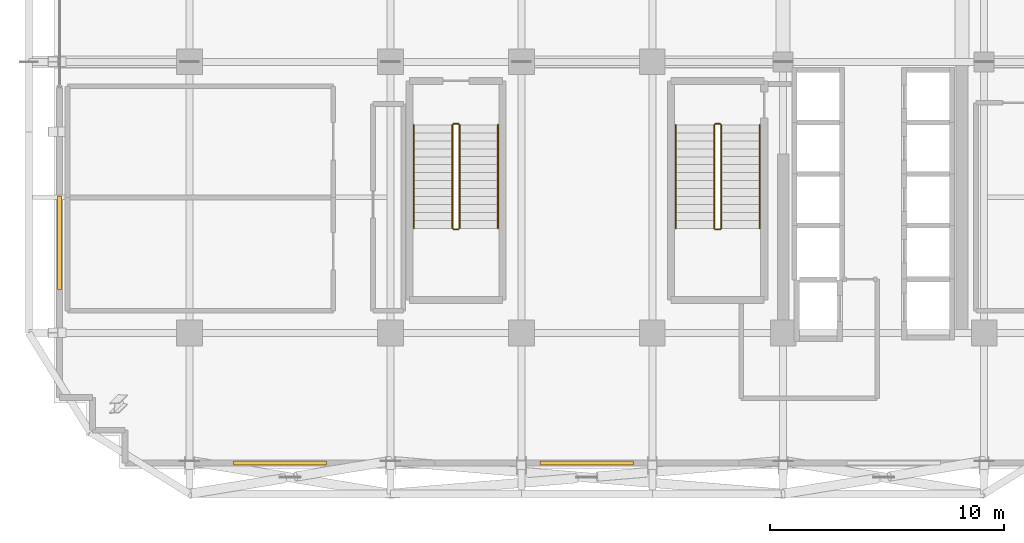
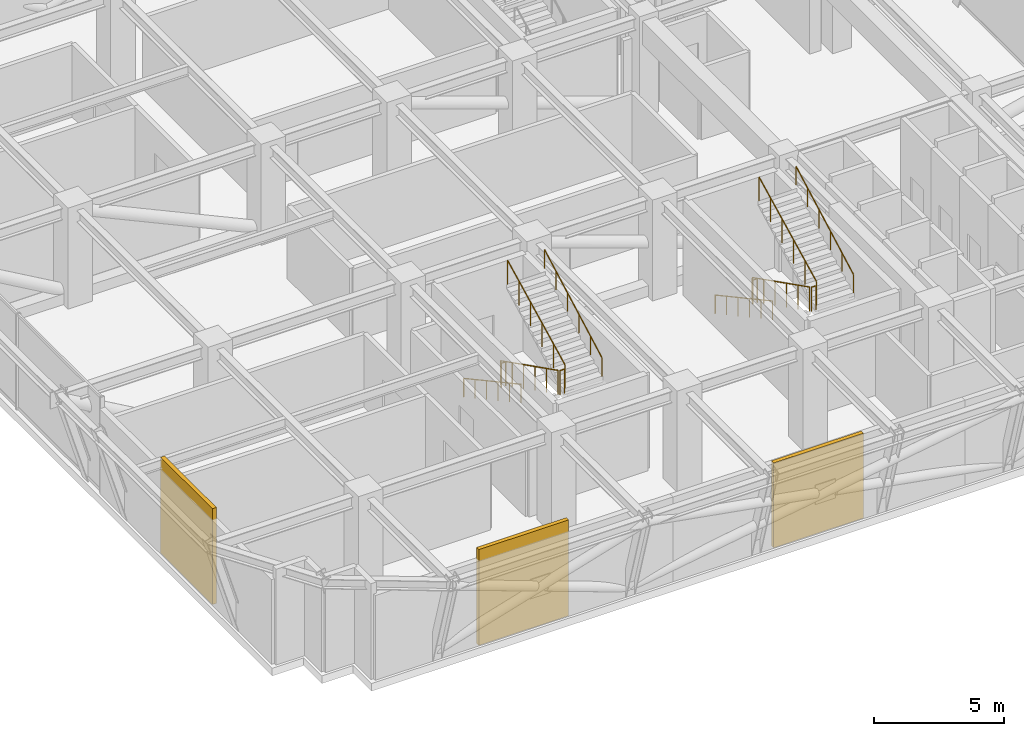
# One storey, part 13 of 16: 12 railings, 3 shading devices.
"""IFC4 building model written with IfcOpenShell, lengths in metres."""

import ifcopenshell
import ifcopenshell.guid

model = None  # the IFC model being written
_history = None  # IfcOwnerHistory: only IFC2X3 demands one
_inside = {}  # id of a spatial element -> (the spatial element, [elements in it])
_under = {}  # id of a project, library or spatial element -> (it, [spatial elements below it])
_declared = {}  # id of a project -> (the project, [libraries it declares])
_typed = {}  # id of a type object -> (the type object, [elements of that type])
_made_of = {}  # id of a material, layer set ... -> (it, [elements and type objects made of it])


def new_model(schema):
    """Start an empty IFC model of exactly this schema.

    Asked for "IFC4X3", IfcOpenShell would pick the latest addendum, in which some entities
    have other attributes; the version numbers below select the first issue.
    IFC2X3 requires an IfcOwnerHistory on every rooted entity: one is made here for all.
    """
    global model, _history
    if schema == "IFC4X3":
        model = ifcopenshell.file(schema_version=(4, 3, 0, 0))
    else:
        model = ifcopenshell.file(schema=schema)
    _inside.clear()
    _under.clear()
    _declared.clear()
    _typed.clear()
    _made_of.clear()
    _history = None
    if model.schema == "IFC2X3":
        org = make("IfcOrganization", Name="unknown")
        user = make(
            "IfcPersonAndOrganization",
            ThePerson=make("IfcPerson", FamilyName="unknown"),
            TheOrganization=org,
        )
        app = make(
            "IfcApplication",
            ApplicationDeveloper=org,
            Version="unknown",
            ApplicationFullName="unknown",
            ApplicationIdentifier="unknown",
        )
        _history = make(
            "IfcOwnerHistory",
            OwningUser=user,
            OwningApplication=app,
            ChangeAction="ADDED",
            CreationDate=0,
        )
    return model


def make(cls, **values):
    """One entity of the class cls with the attributes given. An attribute that is None is left unset."""
    return model.create_entity(
        cls, **{name: value for name, value in values.items() if value is not None}
    )


def rooted(cls, **values):
    """An entity with a GlobalId (a new one), such as an element, a storey or a relation."""
    return make(cls, GlobalId=ifcopenshell.guid.new(), OwnerHistory=_history, **values)


def si_unit(unit_type, name, prefix=None):
    """IfcSIUnit, for example si_unit("LENGTHUNIT", "METRE", prefix="MILLI")."""
    return make("IfcSIUnit", UnitType=unit_type, Prefix=prefix, Name=name)


def assignment(units):
    """IfcUnitAssignment: the units of a project."""
    return None if units is None else make("IfcUnitAssignment", Units=units)


def point(xyz):
    """IfcCartesianPoint."""
    return None if xyz is None else make("IfcCartesianPoint", Coordinates=xyz)


def direction(xyz):
    """IfcDirection."""
    return None if xyz is None else make("IfcDirection", DirectionRatios=xyz)


def frame(location, z_axis=None, x_axis=None):
    """IfcAxis2Placement3D, a coordinate frame: its origin and axes. An axis left out is left unset."""
    return make(
        "IfcAxis2Placement3D",
        Location=point(location),
        Axis=direction(z_axis),
        RefDirection=direction(x_axis),
    )


def frame_2d(location, x_axis=None):
    """IfcAxis2Placement2D, a coordinate frame in the plane: its origin and x axis."""
    return make(
        "IfcAxis2Placement2D", Location=point(location), RefDirection=direction(x_axis)
    )


def origin():
    """The frame at (0, 0, 0) with its axes left unset."""
    return frame((0.0, 0.0, 0.0))


def origin_2d():
    """The frame at (0, 0) in the plane with its x axis left unset."""
    return frame_2d((0.0, 0.0))


def place(relative_to, where):
    """IfcLocalPlacement: puts the frame where relative to a parent placement (None: the world)."""
    return make(
        "IfcLocalPlacement", PlacementRelTo=relative_to, RelativePlacement=where
    )


def context(
    kind, dimensions, precision=None, world=None, true_north=None, identifier=None
):
    """IfcGeometricRepresentationContext, for example the 3D "Model" context."""
    return make(
        "IfcGeometricRepresentationContext",
        ContextIdentifier=identifier,
        ContextType=kind,
        CoordinateSpaceDimension=dimensions,
        Precision=precision,
        WorldCoordinateSystem=world,
        TrueNorth=true_north,
    )


def subcontext(parent, identifier, kind, view, scale=None):
    """IfcGeometricRepresentationSubContext, for example "Body" below "Model"."""
    return make(
        "IfcGeometricRepresentationSubContext",
        ContextIdentifier=identifier,
        ContextType=kind,
        ParentContext=parent,
        TargetScale=scale,
        TargetView=view,
    )


def project(units=None, contexts=None):
    """IfcProject with its units and contexts."""
    return rooted(
        "IfcProject",
        Name="project",
        RepresentationContexts=contexts,
        UnitsInContext=assignment(units),
    )


def spatial(cls, under=None, at=None, **own):
    """A site, building, storey or space (cls), placed at a placement, below another one or the project."""
    s = rooted(cls, ObjectPlacement=at, **own)
    if under is not None:
        _under.setdefault(under.id(), (under, []))[1].append(s)
    return s


def profile(cls, at=None, kind="AREA", **sizes):
    """A parametric profile (cls). Its sizes go by their IFC names, for example OverallWidth=200.0."""
    return make(cls, ProfileType=kind, Position=at, **sizes)


def rectangle(**sizes):
    """IfcRectangleProfileDef."""
    return profile("IfcRectangleProfileDef", **sizes)


def circle(**sizes):
    """IfcCircleProfileDef."""
    return profile("IfcCircleProfileDef", **sizes)


def extrude(swept, where, along, depth):
    """IfcExtrudedAreaSolid: the profile swept, set in the frame where, extruded along a direction by depth."""
    return make(
        "IfcExtrudedAreaSolid",
        SweptArea=swept,
        Position=where,
        ExtrudedDirection=direction(along),
        Depth=depth,
    )


def shape(context_of_items, identifier, shape_type, items):
    """IfcShapeRepresentation: the items that make up one representation, for example the "Body"."""
    return make(
        "IfcShapeRepresentation",
        ContextOfItems=context_of_items,
        RepresentationIdentifier=identifier,
        RepresentationType=shape_type,
        Items=items,
    )


def source(mapping_origin, context_of_items, identifier, shape_type, items):
    """IfcRepresentationMap: a shape defined once, which mapped items show again and again."""
    return make(
        "IfcRepresentationMap",
        MappingOrigin=mapping_origin,
        MappedRepresentation=shape(context_of_items, identifier, shape_type, items),
    )


def transform(
    local_origin,
    x_axis=None,
    y_axis=None,
    z_axis=None,
    scale=None,
    scale2=None,
    scale3=None,
    uniform=True,
):
    """IfcCartesianTransformationOperator3D, or its non-uniform kind. x_axis, y_axis, z_axis: its Axis1, 2, 3."""
    if uniform:
        return make(
            "IfcCartesianTransformationOperator3D",
            Axis1=direction(x_axis),
            Axis2=direction(y_axis),
            LocalOrigin=point(local_origin),
            Scale=scale,
            Axis3=direction(z_axis),
        )
    return make(
        "IfcCartesianTransformationOperator3DnonUniform",
        Axis1=direction(x_axis),
        Axis2=direction(y_axis),
        LocalOrigin=point(local_origin),
        Scale=scale,
        Axis3=direction(z_axis),
        Scale2=scale2,
        Scale3=scale3,
    )


def mapped(mapping_source, mapping_target):
    """IfcMappedItem: shows the shape of a source again, moved by a transform."""
    return make(
        "IfcMappedItem", MappingSource=mapping_source, MappingTarget=mapping_target
    )


def material(Name=None, Category=None):
    """IfcMaterial."""
    return make("IfcMaterial", Name=Name, Category=Category)


def layer(
    of_material, thickness, ventilated=None, Name=None, Category=None, Priority=None
):
    """IfcMaterialLayer: one layer of a wall or slab, of a material (None: an air gap)."""
    return make(
        "IfcMaterialLayer",
        Material=of_material,
        LayerThickness=thickness,
        IsVentilated=ventilated,
        Name=Name,
        Category=Category,
        Priority=Priority,
    )


def layer_set(layers, Name=None):
    """IfcMaterialLayerSet."""
    return make("IfcMaterialLayerSet", MaterialLayers=layers, LayerSetName=Name)


def made_of(thing, what):
    """Note that an element or type object is made of a material, layer set ...; save() writes the relation."""
    if what is not None:
        _made_of.setdefault(what.id(), (what, []))[1].append(thing)
    return thing


def type_object(cls, material=None, **own):
    """A type object (cls), such as IfcWallType, which elements share."""
    return made_of(rooted(cls, **own), material)


def element(
    cls,
    number,
    at=None,
    inside=None,
    cuts=None,
    type_object=None,
    material=None,
    context=None,
    identifier="Body",
    shape_type=None,
    held_by="IfcProductDefinitionShape",
    body=None,
    shapes=None,
    **own,
):
    """One element of the class cls, such as IfcWall. Its Tag is "e" and its number.

    at: its placement. inside: the storey or other place that contains it. cuts: it is an
    opening in that element (IfcRelVoidsElement). A single representation is given by context,
    identifier, shape_type and body (its items); several are given by shapes. held_by: the class
    of the entity that holds the representations. save() writes the other relations.
    """
    e = rooted(cls, Tag="e%d" % number, ObjectPlacement=at, **own)
    if body is not None:
        shapes = [shape(context, identifier, shape_type, body)]
    if shapes is not None:
        e.Representation = make(held_by, Representations=shapes)
    if inside is not None:
        _inside.setdefault(inside.id(), (inside, []))[1].append(e)
    if cuts is not None:
        rooted(
            "IfcRelVoidsElement", RelatingBuildingElement=cuts, RelatedOpeningElement=e
        )
    if type_object is not None:
        _typed.setdefault(type_object.id(), (type_object, []))[1].append(e)
    return made_of(e, material)


def aggregate(whole, parts):
    """IfcRelAggregates: a whole, such as a stair, and the parts it consists of."""
    return rooted("IfcRelAggregates", RelatingObject=whole, RelatedObjects=parts)


def save(model, path):
    """Write the relations noted so far, then the file.

    IfcRelAggregates (storeys below a building ...), IfcRelContainedInSpatialStructure (elements
    in a storey), IfcRelDefinesByType, IfcRelAssociatesMaterial and IfcRelDeclares: one each for
    every whole, place, type object, material and project.
    """
    for whole, parts in _under.values():
        aggregate(whole, parts)
    for where, things in _inside.values():
        rooted(
            "IfcRelContainedInSpatialStructure",
            RelatedElements=things,
            RelatingStructure=where,
        )
    for kind, things in _typed.values():
        rooted("IfcRelDefinesByType", RelatedObjects=things, RelatingType=kind)
    for what, things in _made_of.values():
        rooted("IfcRelAssociatesMaterial", RelatedObjects=things, RelatingMaterial=what)
    for by, libraries in _declared.values():
        rooted("IfcRelDeclares", RelatingContext=by, RelatedDefinitions=libraries)
    model.write(path)


model = new_model("IFC4")

# Units and contexts
model_context = context("Model", 3, precision=1e-05, world=origin(), true_north=direction((0.0, 1.0)))
body_context = subcontext(model_context, "Body", "Model", "MODEL_VIEW")
ifc_project = project(units=[si_unit("LENGTHUNIT", "METRE"), si_unit("AREAUNIT", "SQUARE_METRE"), si_unit("VOLUMEUNIT", "CUBIC_METRE"), si_unit("PLANEANGLEUNIT", "RADIAN"), si_unit("MASSUNIT", "GRAM", prefix="KILO")], contexts=[model_context])

# Site, building, storey
site_placement = place(None, origin())
site = spatial("IfcSite", under=ifc_project, at=site_placement, CompositionType="ELEMENT")
building_placement = place(site_placement, origin())
building = spatial("IfcBuilding", under=site, at=building_placement, Name="Nahalor Promenade Grand Hotel", CompositionType="ELEMENT")
storey_placement = place(building_placement, frame((0.0, 0.0, 200.10009765625)))
storey = spatial("IfcBuildingStorey", under=building, at=storey_placement, Name="L51", CompositionType="ELEMENT", Elevation=200.10009765625)

# Railings
ifc_material_1 = material(Name="Steel S355JR", Category="steel")
railing_type_1 = type_object("IfcRailingType", Name="Steel Stair Guardrail 1150 mm", PredefinedType="GUARDRAIL", material=ifc_material_1)
railing_1_placement = place(storey_placement, frame((5.449951171875, -8.10009765625, 0.17138671875)))
element("IfcRailing", 1, at=railing_1_placement, inside=storey, type_object=railing_type_1, Name="L51 ST2 stair guard 1", PredefinedType="GUARDRAIL", context=body_context, shape_type="SweptSolid", body=[
    extrude(circle(Radius=0.024048, at=origin_2d()), frame((0.0, 0.0, 1.1259765625), z_axis=(0.0, -0.89292277971, 0.450209850486), x_axis=(1.0, 0.0, 0.0)), (0.0, 0.0, 1.0), 4.949951171875),
    extrude(circle(Radius=0.020996, at=origin_2d()), origin(), (0.0, 0.0, 1.0), 1.099853515625),
    extrude(circle(Radius=0.020996, at=origin_2d()), frame((0.0, -0.884033203125, 0.44580078125)), (0.0, 0.0, 1.0), 1.099853515625),
    extrude(circle(Radius=0.020996, at=origin_2d()), frame((0.0, -1.76806640625, 0.891357421875)), (0.0, 0.0, 1.0), 1.099853515625),
    extrude(circle(Radius=0.020996, at=origin_2d()), frame((0.0, -2.65185546875, 1.337158203125)), (0.0, 0.0, 1.0), 1.099853515625),
    extrude(circle(Radius=0.020996, at=origin_2d()), frame((0.0, -3.535888671875, 1.78271484375)), (0.0, 0.0, 1.0), 1.099853515625),
    extrude(circle(Radius=0.020996, at=origin_2d()), frame((0.0, -4.419921875, 2.228515625)), (0.0, 0.0, 1.0), 1.099853515625),
])
railing_2_placement = place(storey_placement, frame((5.5, -12.570068359375, 2.39990234375)))
element("IfcRailing", 2, at=railing_2_placement, inside=storey, type_object=railing_type_1, Name="L51 ST2 stair guard 2", PredefinedType="GUARDRAIL", context=body_context, shape_type="SweptSolid", body=[
    extrude(circle(Radius=0.024048, at=origin_2d()), frame((0.0, 0.0, 1.1259765625), z_axis=(1.0, 0.0, 0.0), x_axis=(0.0, 1.0, 0.0)), (0.0, 0.0, 1.0), 0.199951171875),
    extrude(circle(Radius=0.020996, at=origin_2d()), origin(), (0.0, 0.0, 1.0), 1.099853515625),
    extrude(circle(Radius=0.020996, at=origin_2d()), frame((0.199951171875, 0.0, 0.0)), (0.0, 0.0, 1.0), 1.099853515625),
])
railing_3_placement = place(storey_placement, frame((5.75, -12.52001953125, 2.5712890625)))
element("IfcRailing", 3, at=railing_3_placement, inside=storey, type_object=railing_type_1, Name="L51 ST2 stair guard 3", PredefinedType="GUARDRAIL", context=body_context, shape_type="SweptSolid", body=[
    extrude(circle(Radius=0.024048, at=origin_2d()), frame((0.0, 0.0, 1.1259765625), z_axis=(0.0, 0.89292277971, 0.450209850486), x_axis=(-1.0, 0.0, 0.0)), (0.0, 0.0, 1.0), 4.949951171875),
    extrude(circle(Radius=0.020996, at=origin_2d()), origin(), (0.0, 0.0, 1.0), 1.099853515625),
    extrude(circle(Radius=0.020996, at=origin_2d()), frame((0.0, 0.884033203125, 0.44580078125)), (0.0, 0.0, 1.0), 1.099853515625),
    extrude(circle(Radius=0.020996, at=origin_2d()), frame((0.0, 1.76806640625, 0.891357421875)), (0.0, 0.0, 1.0), 1.099853515625),
    extrude(circle(Radius=0.020996, at=origin_2d()), frame((0.0, 2.65185546875, 1.337158203125)), (0.0, 0.0, 1.0), 1.099853515625),
    extrude(circle(Radius=0.020996, at=origin_2d()), frame((0.0, 3.535888671875, 1.78271484375)), (0.0, 0.0, 1.0), 1.099853515625),
    extrude(circle(Radius=0.020996, at=origin_2d()), frame((0.0, 4.419921875, 2.228515625)), (0.0, 0.0, 1.0), 1.099853515625),
])
railing_4_placement = place(storey_placement, frame((5.5, -8.050048828125, 0.0)))
element("IfcRailing", 4, at=railing_4_placement, inside=storey, type_object=railing_type_1, Name="L51 ST2 stair guard 4", PredefinedType="GUARDRAIL", context=body_context, shape_type="SweptSolid", body=[
    extrude(circle(Radius=0.024048, at=origin_2d()), frame((0.0, 0.0, 1.1259765625), z_axis=(1.0, 0.0, 0.0), x_axis=(0.0, 1.0, 0.0)), (0.0, 0.0, 1.0), 0.199951171875),
    extrude(circle(Radius=0.020996, at=origin_2d()), origin(), (0.0, 0.0, 1.0), 1.099853515625),
    extrude(circle(Radius=0.020996, at=origin_2d()), frame((0.199951171875, 0.0, 0.0)), (0.0, 0.0, 1.0), 1.099853515625),
])
railing_5_placement = place(storey_placement, frame((-5.75, -8.10009765625, 0.17138671875)))
element("IfcRailing", 5, at=railing_5_placement, inside=storey, type_object=railing_type_1, Name="L51 ST3 stair guard 1", PredefinedType="GUARDRAIL", context=body_context, shape_type="SweptSolid", body=[
    extrude(circle(Radius=0.024048, at=origin_2d()), frame((0.0, 0.0, 1.1259765625), z_axis=(0.0, -0.89292277971, 0.450209850486), x_axis=(1.0, 0.0, 0.0)), (0.0, 0.0, 1.0), 4.949951171875),
    extrude(circle(Radius=0.020996, at=origin_2d()), origin(), (0.0, 0.0, 1.0), 1.099853515625),
    extrude(circle(Radius=0.020996, at=origin_2d()), frame((0.0, -0.884033203125, 0.44580078125)), (0.0, 0.0, 1.0), 1.099853515625),
    extrude(circle(Radius=0.020996, at=origin_2d()), frame((0.0, -1.76806640625, 0.891357421875)), (0.0, 0.0, 1.0), 1.099853515625),
    extrude(circle(Radius=0.020996, at=origin_2d()), frame((0.0, -2.65185546875, 1.337158203125)), (0.0, 0.0, 1.0), 1.099853515625),
    extrude(circle(Radius=0.020996, at=origin_2d()), frame((0.0, -3.535888671875, 1.78271484375)), (0.0, 0.0, 1.0), 1.099853515625),
    extrude(circle(Radius=0.020996, at=origin_2d()), frame((0.0, -4.419921875, 2.228515625)), (0.0, 0.0, 1.0), 1.099853515625),
])
railing_6_placement = place(storey_placement, frame((-5.699951171875, -12.570068359375, 2.39990234375)))
element("IfcRailing", 6, at=railing_6_placement, inside=storey, type_object=railing_type_1, Name="L51 ST3 stair guard 2", PredefinedType="GUARDRAIL", context=body_context, shape_type="SweptSolid", body=[
    extrude(circle(Radius=0.024048, at=origin_2d()), frame((0.0, 0.0, 1.1259765625), z_axis=(1.0, 0.0, 0.0), x_axis=(0.0, 1.0, 0.0)), (0.0, 0.0, 1.0), 0.199951171875),
    extrude(circle(Radius=0.020996, at=origin_2d()), origin(), (0.0, 0.0, 1.0), 1.099853515625),
    extrude(circle(Radius=0.020996, at=origin_2d()), frame((0.199951171875, 0.0, 0.0)), (0.0, 0.0, 1.0), 1.099853515625),
])
railing_7_placement = place(storey_placement, frame((-5.449951171875, -12.52001953125, 2.5712890625)))
element("IfcRailing", 7, at=railing_7_placement, inside=storey, type_object=railing_type_1, Name="L51 ST3 stair guard 3", PredefinedType="GUARDRAIL", context=body_context, shape_type="SweptSolid", body=[
    extrude(circle(Radius=0.024048, at=origin_2d()), frame((0.0, 0.0, 1.1259765625), z_axis=(0.0, 0.89292277971, 0.450209850486), x_axis=(-1.0, 0.0, 0.0)), (0.0, 0.0, 1.0), 4.949951171875),
    extrude(circle(Radius=0.020996, at=origin_2d()), origin(), (0.0, 0.0, 1.0), 1.099853515625),
    extrude(circle(Radius=0.020996, at=origin_2d()), frame((0.0, 0.884033203125, 0.44580078125)), (0.0, 0.0, 1.0), 1.099853515625),
    extrude(circle(Radius=0.020996, at=origin_2d()), frame((0.0, 1.76806640625, 0.891357421875)), (0.0, 0.0, 1.0), 1.099853515625),
    extrude(circle(Radius=0.020996, at=origin_2d()), frame((0.0, 2.65185546875, 1.337158203125)), (0.0, 0.0, 1.0), 1.099853515625),
    extrude(circle(Radius=0.020996, at=origin_2d()), frame((0.0, 3.535888671875, 1.78271484375)), (0.0, 0.0, 1.0), 1.099853515625),
    extrude(circle(Radius=0.020996, at=origin_2d()), frame((0.0, 4.419921875, 2.228515625)), (0.0, 0.0, 1.0), 1.099853515625),
])
railing_8_placement = place(storey_placement, frame((-5.699951171875, -8.050048828125, 0.0)))
element("IfcRailing", 8, at=railing_8_placement, inside=storey, type_object=railing_type_1, Name="L51 ST3 stair guard 4", PredefinedType="GUARDRAIL", context=body_context, shape_type="SweptSolid", body=[
    extrude(circle(Radius=0.024048, at=origin_2d()), frame((0.0, 0.0, 1.1259765625), z_axis=(1.0, 0.0, 0.0), x_axis=(0.0, 1.0, 0.0)), (0.0, 0.0, 1.0), 0.199951171875),
    extrude(circle(Radius=0.020996, at=origin_2d()), origin(), (0.0, 0.0, 1.0), 1.099853515625),
    extrude(circle(Radius=0.020996, at=origin_2d()), frame((0.199951171875, 0.0, 0.0)), (0.0, 0.0, 1.0), 1.099853515625),
])
railing_type_2 = type_object("IfcRailingType", Name="Steel Stair Handrail 900 mm", PredefinedType="HANDRAIL", material=ifc_material_1)
railing_9_placement = place(storey_placement, frame((3.800048828125, -8.10009765625, 0.17138671875)))
element("IfcRailing", 9, at=railing_9_placement, inside=storey, type_object=railing_type_2, Name="L51 ST2 stair handrail 1", PredefinedType="HANDRAIL", context=body_context, shape_type="SweptSolid", body=[
    extrude(circle(Radius=0.024048, at=origin_2d()), frame((0.0, 0.0, 0.8759765625), z_axis=(0.0, -0.878810394976, 0.477171132491), x_axis=(1.0, 0.0, 0.0)), (0.0, 0.0, 1.0), 5.029541015625),
    extrude(circle(Radius=0.020996, at=origin_2d()), origin(), (0.0, 0.0, 1.0), 0.849853515625),
    extrude(circle(Radius=0.020996, at=origin_2d()), frame((0.0, -0.884033203125, 0.47998046875)), (0.0, 0.0, 1.0), 0.849853515625),
    extrude(circle(Radius=0.020996, at=origin_2d()), frame((0.0, -1.76806640625, 0.9599609375)), (0.0, 0.0, 1.0), 0.849853515625),
    extrude(circle(Radius=0.020996, at=origin_2d()), frame((0.0, -2.65185546875, 1.43994140625)), (0.0, 0.0, 1.0), 0.849853515625),
    extrude(circle(Radius=0.020996, at=origin_2d()), frame((0.0, -3.535888671875, 1.919921875)), (0.0, 0.0, 1.0), 0.849853515625),
    extrude(circle(Radius=0.020996, at=origin_2d()), frame((0.0, -4.419921875, 2.39990234375)), (0.0, 0.0, 1.0), 0.849853515625),
])
railing_10_placement = place(storey_placement, frame((7.39990234375, -12.52001953125, 2.5712890625)))
element("IfcRailing", 10, at=railing_10_placement, inside=storey, type_object=railing_type_2, Name="L51 ST2 stair handrail 2", PredefinedType="HANDRAIL", context=body_context, shape_type="SweptSolid", body=[
    extrude(circle(Radius=0.024048, at=origin_2d()), frame((0.0, 0.0, 0.8759765625), z_axis=(0.0, 0.878790038763, 0.477208620806), x_axis=(-1.0, 0.0, 0.0)), (0.0, 0.0, 1.0), 5.029541015625),
    extrude(circle(Radius=0.020996, at=origin_2d()), origin(), (0.0, 0.0, 1.0), 0.849853515625),
    extrude(circle(Radius=0.020996, at=origin_2d()), frame((0.0, 0.884033203125, 0.47998046875)), (0.0, 0.0, 1.0), 0.849853515625),
    extrude(circle(Radius=0.020996, at=origin_2d()), frame((0.0, 1.76806640625, 0.9599609375)), (0.0, 0.0, 1.0), 0.849853515625),
    extrude(circle(Radius=0.020996, at=origin_2d()), frame((0.0, 2.65185546875, 1.440185546875)), (0.0, 0.0, 1.0), 0.849853515625),
    extrude(circle(Radius=0.020996, at=origin_2d()), frame((0.0, 3.535888671875, 1.920166015625)), (0.0, 0.0, 1.0), 0.849853515625),
    extrude(circle(Radius=0.020996, at=origin_2d()), frame((0.0, 4.419921875, 2.400146484375)), (0.0, 0.0, 1.0), 0.849853515625),
])
railing_11_placement = place(storey_placement, frame((-7.39990234375, -8.10009765625, 0.17138671875)))
element("IfcRailing", 11, at=railing_11_placement, inside=storey, type_object=railing_type_2, Name="L51 ST3 stair handrail 1", PredefinedType="HANDRAIL", context=body_context, shape_type="SweptSolid", body=[
    extrude(circle(Radius=0.024048, at=origin_2d()), frame((0.0, 0.0, 0.8759765625), z_axis=(0.0, -0.878810394976, 0.477171132491), x_axis=(1.0, 0.0, 0.0)), (0.0, 0.0, 1.0), 5.029541015625),
    extrude(circle(Radius=0.020996, at=origin_2d()), origin(), (0.0, 0.0, 1.0), 0.849853515625),
    extrude(circle(Radius=0.020996, at=origin_2d()), frame((0.0, -0.884033203125, 0.47998046875)), (0.0, 0.0, 1.0), 0.849853515625),
    extrude(circle(Radius=0.020996, at=origin_2d()), frame((0.0, -1.76806640625, 0.9599609375)), (0.0, 0.0, 1.0), 0.849853515625),
    extrude(circle(Radius=0.020996, at=origin_2d()), frame((0.0, -2.65185546875, 1.43994140625)), (0.0, 0.0, 1.0), 0.849853515625),
    extrude(circle(Radius=0.020996, at=origin_2d()), frame((0.0, -3.535888671875, 1.919921875)), (0.0, 0.0, 1.0), 0.849853515625),
    extrude(circle(Radius=0.020996, at=origin_2d()), frame((0.0, -4.419921875, 2.39990234375)), (0.0, 0.0, 1.0), 0.849853515625),
])
railing_12_placement = place(storey_placement, frame((-3.800048828125, -12.52001953125, 2.5712890625)))
element("IfcRailing", 12, at=railing_12_placement, inside=storey, type_object=railing_type_2, Name="L51 ST3 stair handrail 2", PredefinedType="HANDRAIL", context=body_context, shape_type="SweptSolid", body=[
    extrude(circle(Radius=0.024048, at=origin_2d()), frame((0.0, 0.0, 0.8759765625), z_axis=(0.0, 0.878790038763, 0.477208620806), x_axis=(-1.0, 0.0, 0.0)), (0.0, 0.0, 1.0), 5.029541015625),
    extrude(circle(Radius=0.020996, at=origin_2d()), origin(), (0.0, 0.0, 1.0), 0.849853515625),
    extrude(circle(Radius=0.020996, at=origin_2d()), frame((0.0, 0.884033203125, 0.47998046875)), (0.0, 0.0, 1.0), 0.849853515625),
    extrude(circle(Radius=0.020996, at=origin_2d()), frame((0.0, 1.76806640625, 0.9599609375)), (0.0, 0.0, 1.0), 0.849853515625),
    extrude(circle(Radius=0.020996, at=origin_2d()), frame((0.0, 2.65185546875, 1.440185546875)), (0.0, 0.0, 1.0), 0.849853515625),
    extrude(circle(Radius=0.020996, at=origin_2d()), frame((0.0, 3.535888671875, 1.920166015625)), (0.0, 0.0, 1.0), 0.849853515625),
    extrude(circle(Radius=0.020996, at=origin_2d()), frame((0.0, 4.419921875, 2.400146484375)), (0.0, 0.0, 1.0), 0.849853515625),
])

# Shading devices
ifc_material_2 = material(Name="Anodised Bronze Aluminium EN AW-6063 T6", Category="aluminium")
ifc_layer = layer(ifc_material_2, 0.179931640625)
ifc_layer_set = layer_set([ifc_layer], Name="Anodised Bronze Aluminium EN AW-6063 T6")
shading_device_type = type_object("IfcShadingDeviceType", Name="Shade-PlantLouvre-Bronze", PredefinedType="USERDEFINED", material=ifc_layer_set)
shared_shape_1 = source(origin(), body_context, "Body", "SweptSolid", [
    extrude(rectangle(XDim=4.0, YDim=0.179931640625, at=origin_2d()), origin(), (0.0, 0.0, 1.0), 4.510009765625),
])
for number, where, z_axis, x_axis, name in (
    (13, (-13.1298828125, -22.56005859375, 0.0), (0.0, 0.0, 1.0), (1.0, 0.0, 0.0), "LV-L51-SL"),
    (14, (-22.56005859375, -13.1298828125, 0.0), (0.0, 0.0, 1.0), (0.0, 1.0, 0.0), "LV-L51-WL"),
):
    element("IfcShadingDevice", number, at=place(storey_placement, frame(where, z_axis=z_axis, x_axis=x_axis)), inside=storey, type_object=shading_device_type, Name=name, ObjectType="LOUVRE", PredefinedType="USERDEFINED", context=body_context, shape_type="MappedRepresentation", body=[
        mapped(shared_shape_1, transform((0.0, 0.0, 0.0), scale=1.0)),
    ])
shared_shape_2 = source(origin(), body_context, "Body", "SweptSolid", [
    extrude(rectangle(XDim=4.0, YDim=0.179931640625, at=origin_2d()), origin(), (0.0, 0.0, 1.0), 3.989990234375),
])
shading_device_placement = place(storey_placement, frame((0.0, -22.56005859375, 0.0), z_axis=(0.0, 0.0, 1.0), x_axis=(1.0, 0.0, 0.0)))
element("IfcShadingDevice", 15, at=shading_device_placement, inside=storey, type_object=shading_device_type, Name="LV-L51-SM", ObjectType="LOUVRE", PredefinedType="USERDEFINED", context=body_context, shape_type="MappedRepresentation", body=[
    mapped(shared_shape_2, transform((0.0, 0.0, 0.0), scale=1.0)),
])

save(model, "model.ifc")
